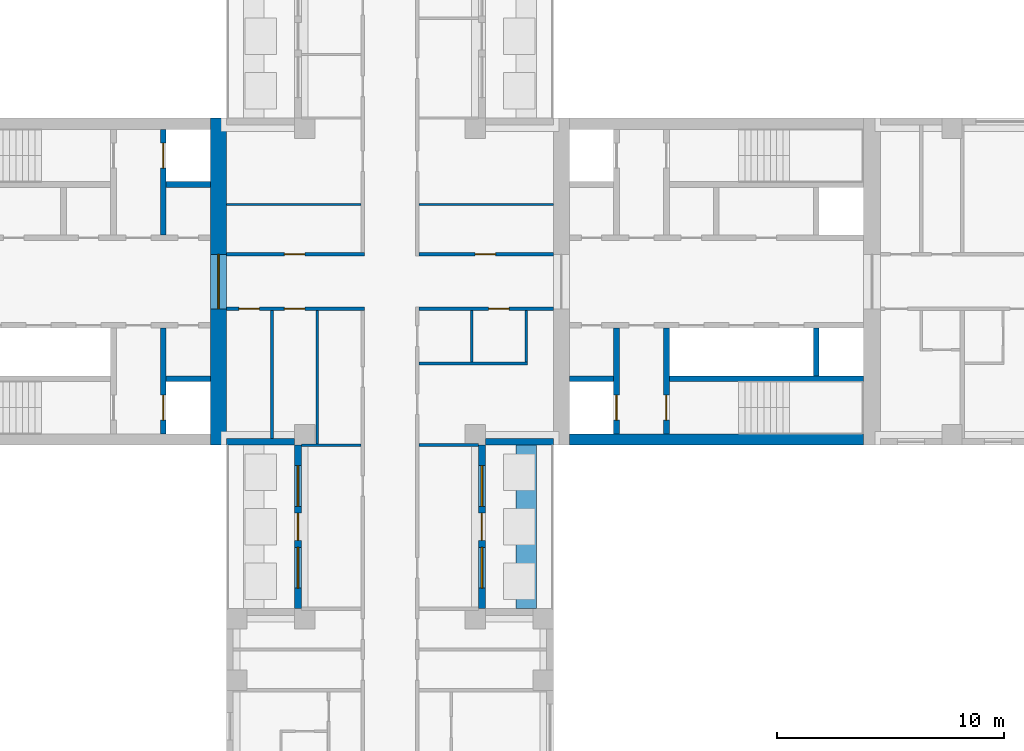
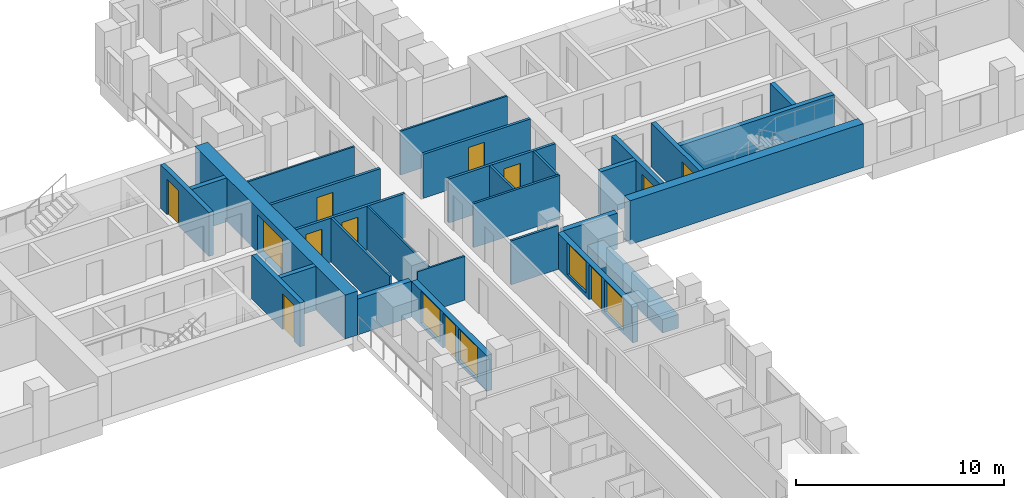
# One storey, part 7 of 13: 29 walls, 12 doors, 4 windows, 16 openings.
"""IFC4 building model written with IfcOpenShell, lengths in metres."""

from ifc_helpers import new_model, si_unit, direction, frame, frame_2d, origin, place, context, subcontext, project, spatial, rectangle, extrude, material, layer, layer_set, type_object, element, fill, save


model = new_model("IFC4")

# Units and contexts
model_context = context("Model", 3, precision=1e-05, world=origin(), true_north=direction((0.0, 1.0)))
body_context = subcontext(model_context, "Body", "Model", "MODEL_VIEW")
ifc_project = project(units=[si_unit("LENGTHUNIT", "METRE"), si_unit("AREAUNIT", "SQUARE_METRE"), si_unit("VOLUMEUNIT", "CUBIC_METRE"), si_unit("PLANEANGLEUNIT", "RADIAN"), si_unit("MASSUNIT", "GRAM", prefix="KILO")], contexts=[model_context])

# Site, building, storey
site_placement = place(None, origin())
site = spatial("IfcSite", under=ifc_project, at=site_placement, CompositionType="ELEMENT")
building_placement = place(site_placement, origin())
building = spatial("IfcBuilding", under=site, at=building_placement, Name="Fustian Cross Tower", CompositionType="ELEMENT")
storey_placement = place(building_placement, frame((0.0, 0.0, 105.89990234375)))
storey = spatial("IfcBuildingStorey", under=building, at=storey_placement, Name="L33", CompositionType="ELEMENT", Elevation=105.89990234375)

# Wall, openings, doors
ifc_material_1 = material(Name="Plasterboard on steel stud", Category="steel")
ifc_layer_1 = layer(ifc_material_1, 0.14990234375)
ifc_layer_set_1 = layer_set([ifc_layer_1], Name="Plasterboard on steel stud")
wall_type_1 = type_object("IfcWallType", Name="COMPARTMENT WALL 150 EI 60", PredefinedType="PARTITIONING", material=ifc_layer_set_1)
wall_1_placement = place(storey_placement, frame((-7.199951171875, -1.199951171875, 0.0), z_axis=(0.0, 0.0, 1.0), x_axis=(1.0, 0.0, 0.0)))
wall_1 = element("IfcWall", 1, at=wall_1_placement, inside=storey, type_object=wall_type_1, Name="Partition 12", PredefinedType="PARTITIONING", context=body_context, shape_type="SweptSolid", body=[
    extrude(rectangle(XDim=6.074951171875, YDim=0.14990234375, at=frame_2d((3.03759765625, 0.0))), origin(), (0.0, 0.0, 1.0), 2.5751953125),
])
opening_1_placement = place(wall_1_placement, frame((2.550048828125, 0.0, 0.0)))
opening_1 = element("IfcOpeningElement", 2, at=opening_1_placement, cuts=wall_1, Name="Opening D15009", PredefinedType="OPENING", context=body_context, shape_type="SweptSolid", body=[
    extrude(rectangle(XDim=0.89990234375, YDim=2.10009765625, at=frame_2d((0.449951171875, 1.050048828125))), frame((0.0, 0.0849609375, 0.0), z_axis=(0.0, -1.0, 0.0), x_axis=(1.0, 0.0, 0.0)), (0.0, 0.0, 1.0), 0.169921875),
])
opening_2_placement = place(wall_1_placement, frame((0.550048828125, 0.0, 0.0)))
opening_2 = element("IfcOpeningElement", 3, at=opening_2_placement, cuts=wall_1, Name="Opening D15010", PredefinedType="OPENING", context=body_context, shape_type="SweptSolid", body=[
    extrude(rectangle(XDim=0.89990234375, YDim=2.10009765625, at=frame_2d((0.449951171875, 1.050048828125))), frame((0.0, 0.0849609375, 0.0), z_axis=(0.0, -1.0, 0.0), x_axis=(1.0, 0.0, 0.0)), (0.0, 0.0, 1.0), 0.169921875),
])
ifc_material_2 = material(Name="Timber fire door set", Category="wood")
door_type_1 = type_object("IfcDoorType", Name="FIRE SWING DOOR 900 FD30S", OperationType="SINGLE_SWING_LEFT", PredefinedType="DOOR", material=ifc_material_2)
door_1_placement = place(opening_1_placement, frame((0.89990234375, 0.0, 0.0), z_axis=(0.0, 0.0, 1.0), x_axis=(-1.0, 0.0, 0.0)))
door_1 = element("IfcDoor", 4, at=door_1_placement, inside=storey, type_object=door_type_1, Name="Door D15009", OperationType="SINGLE_SWING_RIGHT", OverallHeight=2.10009765625, OverallWidth=0.89990234375, PredefinedType="DOOR", context=body_context, shape_type="SweptSolid", body=[
    extrude(rectangle(XDim=0.89990234375, YDim=2.10009765625, at=frame_2d((0.449951171875, 1.050048828125))), frame((0.0, 0.02490234375, 0.0), z_axis=(0.0, -1.0, 0.0), x_axis=(1.0, 0.0, 0.0)), (0.0, 0.0, 1.0), 0.050048828125),
])
fill(opening_1, door_1)
door_2_placement = place(opening_2_placement, frame((0.89990234375, 0.0, 0.0), z_axis=(0.0, 0.0, 1.0), x_axis=(-1.0, 0.0, 0.0)))
door_2 = element("IfcDoor", 5, at=door_2_placement, inside=storey, type_object=door_type_1, Name="Door D15010", OperationType="SINGLE_SWING_RIGHT", OverallHeight=2.10009765625, OverallWidth=0.89990234375, PredefinedType="DOOR", context=body_context, shape_type="SweptSolid", body=[
    extrude(rectangle(XDim=0.89990234375, YDim=2.10009765625, at=frame_2d((0.449951171875, 1.050048828125))), frame((0.0, 0.02490234375, 0.0), z_axis=(0.0, -1.0, 0.0), x_axis=(1.0, 0.0, 0.0)), (0.0, 0.0, 1.0), 0.050048828125),
])
fill(opening_2, door_2)

# Wall, opening, door
wall_2_placement = place(storey_placement, frame((-7.199951171875, 1.199951171875, 0.0), z_axis=(0.0, 0.0, 1.0), x_axis=(1.0, 0.0, 0.0)))
wall_2 = element("IfcWall", 6, at=wall_2_placement, inside=storey, type_object=wall_type_1, Name="Partition 13", PredefinedType="PARTITIONING", context=body_context, shape_type="SweptSolid", body=[
    extrude(rectangle(XDim=6.074951171875, YDim=0.14990234375, at=frame_2d((3.03759765625, 0.0))), origin(), (0.0, 0.0, 1.0), 2.5751953125),
])
opening_3_placement = place(wall_2_placement, frame((2.550048828125, 0.0, 0.0)))
opening_3 = element("IfcOpeningElement", 7, at=opening_3_placement, cuts=wall_2, Name="Opening D15003", PredefinedType="OPENING", context=body_context, shape_type="SweptSolid", body=[
    extrude(rectangle(XDim=0.89990234375, YDim=2.10009765625, at=frame_2d((0.449951171875, 1.050048828125))), frame((0.0, 0.0849609375, 0.0), z_axis=(0.0, -1.0, 0.0), x_axis=(1.0, 0.0, 0.0)), (0.0, 0.0, 1.0), 0.169921875),
])
door_3_placement = place(opening_3_placement, origin())
door_3 = element("IfcDoor", 8, at=door_3_placement, inside=storey, type_object=door_type_1, Name="Door D15003", OperationType="SINGLE_SWING_LEFT", OverallHeight=2.10009765625, OverallWidth=0.89990234375, PredefinedType="DOOR", context=body_context, shape_type="SweptSolid", body=[
    extrude(rectangle(XDim=0.89990234375, YDim=2.10009765625, at=frame_2d((0.449951171875, 1.050048828125))), frame((0.0, 0.02490234375, 0.0), z_axis=(0.0, -1.0, 0.0), x_axis=(1.0, 0.0, 0.0)), (0.0, 0.0, 1.0), 0.050048828125),
])
fill(opening_3, door_3)

wall_3_placement = place(storey_placement, frame((1.27490234375, -1.199951171875, 0.0), z_axis=(0.0, 0.0, 1.0), x_axis=(1.0, 0.0, 0.0)))
wall_3 = element("IfcWall", 9, at=wall_3_placement, inside=storey, type_object=wall_type_1, Name="Partition 50", PredefinedType="PARTITIONING", context=body_context, shape_type="SweptSolid", body=[
    extrude(rectangle(XDim=5.925048828125, YDim=0.14990234375, at=frame_2d((2.96240234375, 0.0))), origin(), (0.0, 0.0, 1.0), 2.5751953125),
])
opening_4_placement = place(wall_3_placement, frame((3.074951171875, 0.0, 0.0)))
opening_4 = element("IfcOpeningElement", 10, at=opening_4_placement, cuts=wall_3, Name="Opening D15006", PredefinedType="OPENING", context=body_context, shape_type="SweptSolid", body=[
    extrude(rectangle(XDim=0.89990234375, YDim=2.10009765625, at=frame_2d((0.449951171875, 1.050048828125))), frame((0.0, 0.0849609375, 0.0), z_axis=(0.0, -1.0, 0.0), x_axis=(1.0, 0.0, 0.0)), (0.0, 0.0, 1.0), 0.169921875),
])
door_4_placement = place(opening_4_placement, frame((0.89990234375, 0.0, 0.0), z_axis=(0.0, 0.0, 1.0), x_axis=(-1.0, 0.0, 0.0)))
door_4 = element("IfcDoor", 11, at=door_4_placement, inside=storey, type_object=door_type_1, Name="Door D15006", OperationType="SINGLE_SWING_RIGHT", OverallHeight=2.10009765625, OverallWidth=0.89990234375, PredefinedType="DOOR", context=body_context, shape_type="SweptSolid", body=[
    extrude(rectangle(XDim=0.89990234375, YDim=2.10009765625, at=frame_2d((0.449951171875, 1.050048828125))), frame((0.0, 0.02490234375, 0.0), z_axis=(0.0, -1.0, 0.0), x_axis=(1.0, 0.0, 0.0)), (0.0, 0.0, 1.0), 0.050048828125),
])
fill(opening_4, door_4)

wall_4_placement = place(storey_placement, frame((1.27490234375, 1.199951171875, 0.0), z_axis=(0.0, 0.0, 1.0), x_axis=(1.0, 0.0, 0.0)))
wall_4 = element("IfcWall", 12, at=wall_4_placement, inside=storey, type_object=wall_type_1, Name="Partition 52", PredefinedType="PARTITIONING", context=body_context, shape_type="SweptSolid", body=[
    extrude(rectangle(XDim=5.925048828125, YDim=0.14990234375, at=frame_2d((2.96240234375, 0.0))), origin(), (0.0, 0.0, 1.0), 2.5751953125),
])
opening_5_placement = place(wall_4_placement, frame((2.47509765625, 0.0, 0.0)))
opening_5 = element("IfcOpeningElement", 13, at=opening_5_placement, cuts=wall_4, Name="Opening D15001", PredefinedType="OPENING", context=body_context, shape_type="SweptSolid", body=[
    extrude(rectangle(XDim=0.89990234375, YDim=2.10009765625, at=frame_2d((0.449951171875, 1.050048828125))), frame((0.0, 0.0849609375, 0.0), z_axis=(0.0, -1.0, 0.0), x_axis=(1.0, 0.0, 0.0)), (0.0, 0.0, 1.0), 0.169921875),
])
door_5_placement = place(opening_5_placement, origin())
door_5 = element("IfcDoor", 14, at=door_5_placement, inside=storey, type_object=door_type_1, Name="Door D15001", OperationType="SINGLE_SWING_LEFT", OverallHeight=2.10009765625, OverallWidth=0.89990234375, PredefinedType="DOOR", context=body_context, shape_type="SweptSolid", body=[
    extrude(rectangle(XDim=0.89990234375, YDim=2.10009765625, at=frame_2d((0.449951171875, 1.050048828125))), frame((0.0, 0.02490234375, 0.0), z_axis=(0.0, -1.0, 0.0), x_axis=(1.0, 0.0, 0.0)), (0.0, 0.0, 1.0), 0.050048828125),
])
fill(opening_5, door_5)

ifc_material_3 = material(Name="Concrete C70/85", Category="concrete")
ifc_layer_2 = layer(ifc_material_3, 0.699951171875)
ifc_layer_set_2 = layer_set([ifc_layer_2], Name="Concrete C70/85")
wall_type_2 = type_object("IfcWallType", Name="CORE END WALL 700 C70/85", PredefinedType="SHEAR", material=ifc_layer_set_2)
wall_5_placement = place(storey_placement, frame((-7.550048828125, -7.199951171875, 0.0), z_axis=(0.0, 0.0, 1.0), x_axis=(0.0, 1.0, 0.0)))
wall_5 = element("IfcWall", 15, at=wall_5_placement, inside=storey, type_object=wall_type_2, Name="Core end wall", PredefinedType="SHEAR", context=body_context, shape_type="SweptSolid", body=[
    extrude(rectangle(XDim=14.39990234375, YDim=0.699951171875, at=frame_2d((7.199951171875, 0.0))), origin(), (0.0, 0.0, 1.0), 2.5751953125),
])
opening_6_placement = place(wall_5_placement, frame((6.0, 0.0, 0.0)))
opening_6 = element("IfcOpeningElement", 16, at=opening_6_placement, cuts=wall_5, Name="Opening CD-10-27", PredefinedType="OPENING", context=body_context, shape_type="SweptSolid", body=[
    extrude(rectangle(XDim=2.39990234375, YDim=2.199951171875, at=frame_2d((1.199951171875, 1.10009765625))), frame((0.0, 0.35986328125, 0.0), z_axis=(0.0, -1.0, 0.0), x_axis=(1.0, 0.0, 0.0)), (0.0, 0.0, 1.0), 0.719970703125),
])
ifc_material_4 = material(Name="Steel", Category="steel")
door_type_2 = type_object("IfcDoorType", Name="FIRE DOOR FD30S DOUBLE 2400X2200", OperationType="DOUBLE_DOOR_DOUBLE_SWING", PredefinedType="DOOR", material=ifc_material_4)
door_6_placement = place(opening_6_placement, origin())
door_6 = element("IfcDoor", 17, at=door_6_placement, inside=storey, type_object=door_type_2, Name="Core door CD-10-27", OperationType="DOUBLE_DOOR_DOUBLE_SWING", OverallHeight=2.199951171875, OverallWidth=2.39990234375, PredefinedType="DOOR", context=body_context, shape_type="SweptSolid", body=[
    extrude(rectangle(XDim=2.39990234375, YDim=2.199951171875, at=frame_2d((1.199951171875, 1.10009765625))), frame((0.0, 0.02490234375, 0.0), z_axis=(0.0, -1.0, 0.0), x_axis=(1.0, 0.0, 0.0)), (0.0, 0.0, 1.0), 0.050048828125),
])
fill(opening_6, door_6)

# Walls
ifc_material_5 = material(Name="Concrete C70/85", Category="concrete")
ifc_layer_3 = layer(ifc_material_5, 0.5)
ifc_layer_set_3 = layer_set([ifc_layer_3], Name="Concrete C70/85")
wall_type_3 = type_object("IfcWallType", Name="CORE FACADE WALL 500 C70/85", PredefinedType="SHEAR", material=ifc_layer_set_3)
wall_6_placement = place(storey_placement, frame((7.89990234375, -6.949951171875, 0.0), z_axis=(0.0, 0.0, 1.0), x_axis=(1.0, 0.0, 0.0)))
element("IfcWall", 18, at=wall_6_placement, inside=storey, type_object=wall_type_3, Name="Core facade wall", PredefinedType="SHEAR", context=body_context, shape_type="SweptSolid", body=[
    extrude(rectangle(XDim=12.9501953125, YDim=0.5, at=frame_2d((6.47509765625, 0.0))), origin(), (0.0, 0.0, 1.0), 2.5751953125),
])
ifc_material_6 = material(Name="Concrete C50/60", Category="concrete")
ifc_layer_4 = layer(ifc_material_6, 0.25)
ifc_layer_set_4 = layer_set([ifc_layer_4], Name="Concrete C50/60")
wall_type_4 = type_object("IfcWallType", Name="CORE SHAFT WALL 250 C50/60", PredefinedType="SHEAR", material=ifc_layer_set_4)
wall_7_placement = place(storey_placement, frame((7.89990234375, -4.27490234375, 0.0), z_axis=(0.0, 0.0, 1.0), x_axis=(1.0, 0.0, 0.0)))
element("IfcWall", 19, at=wall_7_placement, inside=storey, type_object=wall_type_4, Name="Core shaft wall", PredefinedType="SHEAR", context=body_context, shape_type="SweptSolid", body=[
    extrude(rectangle(XDim=1.9501953125, YDim=0.25, at=frame_2d((0.97509765625, 0.0))), origin(), (0.0, 0.0, 1.0), 2.5751953125),
])
wall_8_placement = place(storey_placement, frame((12.300048828125, -4.27490234375, 0.0), z_axis=(0.0, 0.0, 1.0), x_axis=(1.0, 0.0, 0.0)))
element("IfcWall", 20, at=wall_8_placement, inside=storey, type_object=wall_type_4, Name="Core shaft wall", PredefinedType="SHEAR", context=body_context, shape_type="SweptSolid", body=[
    extrude(rectangle(XDim=8.550048828125, YDim=0.25, at=frame_2d((4.27490234375, 0.0))), origin(), (0.0, 0.0, 1.0), 2.5751953125),
])

# Wall, opening, door
wall_9_placement = place(storey_placement, frame((9.97509765625, -2.050048828125, 0.0), z_axis=(0.0, 0.0, 1.0), x_axis=(0.0, -1.0, 0.0)))
wall_9 = element("IfcWall", 21, at=wall_9_placement, inside=storey, type_object=wall_type_4, Name="Core shaft wall", PredefinedType="SHEAR", context=body_context, shape_type="SweptSolid", body=[
    extrude(rectangle(XDim=4.64990234375, YDim=0.25, at=frame_2d((2.324951171875, 0.0))), origin(), (0.0, 0.0, 1.0), 2.5751953125),
])
opening_7_placement = place(wall_9_placement, frame((2.949951171875, 0.0, 0.0)))
opening_7 = element("IfcOpeningElement", 22, at=opening_7_placement, cuts=wall_9, Name="Opening LD", PredefinedType="OPENING", context=body_context, shape_type="SweptSolid", body=[
    extrude(rectangle(XDim=1.10009765625, YDim=2.10009765625, at=frame_2d((0.550048828125, 1.050048828125))), frame((0.0, 0.135009765625, 0.0), z_axis=(0.0, -1.0, 0.0), x_axis=(1.0, 0.0, 0.0)), (0.0, 0.0, 1.0), 0.27001953125),
])
ifc_material_7 = material(Name="Stainless steel", Category="steel")
door_type_3 = type_object("IfcDoorType", Name="LIFT LANDING DOOR 1100X2100", OperationType="SLIDING_TO_LEFT", PredefinedType="DOOR", material=ifc_material_7)
door_7_placement = place(opening_7_placement, origin())
door_7 = element("IfcDoor", 23, at=door_7_placement, inside=storey, type_object=door_type_3, Name="Landing door SV1", OperationType="SLIDING_TO_LEFT", OverallHeight=2.10009765625, OverallWidth=1.10009765625, PredefinedType="DOOR", context=body_context, shape_type="SweptSolid", body=[
    extrude(rectangle(XDim=1.10009765625, YDim=2.10009765625, at=frame_2d((0.550048828125, 1.050048828125))), frame((0.0, 0.02490234375, 0.0), z_axis=(0.0, -1.0, 0.0), x_axis=(1.0, 0.0, 0.0)), (0.0, 0.0, 1.0), 0.050048828125),
])
fill(opening_7, door_7)

wall_10_placement = place(storey_placement, frame((12.175048828125, -2.050048828125, 0.0), z_axis=(0.0, 0.0, 1.0), x_axis=(0.0, -1.0, 0.0)))
wall_10 = element("IfcWall", 24, at=wall_10_placement, inside=storey, type_object=wall_type_4, Name="Core shaft wall", PredefinedType="SHEAR", context=body_context, shape_type="SweptSolid", body=[
    extrude(rectangle(XDim=4.64990234375, YDim=0.25, at=frame_2d((2.324951171875, 0.0))), origin(), (0.0, 0.0, 1.0), 2.5751953125),
])
opening_8_placement = place(wall_10_placement, frame((2.949951171875, 0.0, 0.0)))
opening_8 = element("IfcOpeningElement", 25, at=opening_8_placement, cuts=wall_10, Name="Opening CD-10-07", PredefinedType="OPENING", context=body_context, shape_type="SweptSolid", body=[
    extrude(rectangle(XDim=1.10009765625, YDim=2.10009765625, at=frame_2d((0.550048828125, 1.050048828125))), frame((0.0, 0.135009765625, 0.0), z_axis=(0.0, -1.0, 0.0), x_axis=(1.0, 0.0, 0.0)), (0.0, 0.0, 1.0), 0.27001953125),
])
ifc_material_8 = material(Name="Steel", Category="steel")
door_type_4 = type_object("IfcDoorType", Name="FIRE DOOR FD60S 1100X2100", OperationType="SINGLE_SWING_LEFT", PredefinedType="DOOR", material=ifc_material_8)
door_8_placement = place(opening_8_placement, origin())
door_8 = element("IfcDoor", 26, at=door_8_placement, inside=storey, type_object=door_type_4, Name="Core door CD-10-07", OperationType="SINGLE_SWING_LEFT", OverallHeight=2.10009765625, OverallWidth=1.10009765625, PredefinedType="DOOR", context=body_context, shape_type="SweptSolid", body=[
    extrude(rectangle(XDim=1.10009765625, YDim=2.10009765625, at=frame_2d((0.550048828125, 1.050048828125))), frame((0.0, 0.02490234375, 0.0), z_axis=(0.0, -1.0, 0.0), x_axis=(1.0, 0.0, 0.0)), (0.0, 0.0, 1.0), 0.050048828125),
])
fill(opening_8, door_8)

# Wall
wall_11_placement = place(storey_placement, frame((-7.89990234375, 4.27490234375, 0.0), z_axis=(0.0, 0.0, 1.0), x_axis=(-1.0, 0.0, 0.0)))
element("IfcWall", 27, at=wall_11_placement, inside=storey, type_object=wall_type_4, Name="Core shaft wall", PredefinedType="SHEAR", context=body_context, shape_type="SweptSolid", body=[
    extrude(rectangle(XDim=1.9501953125, YDim=0.25, at=frame_2d((0.97509765625, 0.0))), origin(), (0.0, 0.0, 1.0), 2.5751953125),
])

# Wall, opening, door
wall_12_placement = place(storey_placement, frame((-9.97509765625, 2.050048828125, 0.0), z_axis=(0.0, 0.0, 1.0), x_axis=(0.0, 1.0, 0.0)))
wall_12 = element("IfcWall", 28, at=wall_12_placement, inside=storey, type_object=wall_type_4, Name="Core shaft wall", PredefinedType="SHEAR", context=body_context, shape_type="SweptSolid", body=[
    extrude(rectangle(XDim=4.64990234375, YDim=0.25, at=frame_2d((2.324951171875, 0.0))), origin(), (0.0, 0.0, 1.0), 2.5751953125),
])
opening_9_placement = place(wall_12_placement, frame((2.949951171875, 0.0, 0.0)))
opening_9 = element("IfcOpeningElement", 29, at=opening_9_placement, cuts=wall_12, Name="Opening LD", PredefinedType="OPENING", context=body_context, shape_type="SweptSolid", body=[
    extrude(rectangle(XDim=1.10009765625, YDim=2.10009765625, at=frame_2d((0.550048828125, 1.050048828125))), frame((0.0, 0.135009765625, 0.0), z_axis=(0.0, -1.0, 0.0), x_axis=(1.0, 0.0, 0.0)), (0.0, 0.0, 1.0), 0.27001953125),
])
door_9_placement = place(opening_9_placement, origin())
door_9 = element("IfcDoor", 30, at=door_9_placement, inside=storey, type_object=door_type_3, Name="Landing door FL1W", OperationType="SLIDING_TO_LEFT", OverallHeight=2.10009765625, OverallWidth=1.10009765625, PredefinedType="DOOR", context=body_context, shape_type="SweptSolid", body=[
    extrude(rectangle(XDim=1.10009765625, YDim=2.10009765625, at=frame_2d((0.550048828125, 1.050048828125))), frame((0.0, 0.02490234375, 0.0), z_axis=(0.0, -1.0, 0.0), x_axis=(1.0, 0.0, 0.0)), (0.0, 0.0, 1.0), 0.050048828125),
])
fill(opening_9, door_9)

# Wall
wall_13_placement = place(storey_placement, frame((-7.89990234375, -4.27490234375, 0.0), z_axis=(0.0, 0.0, 1.0), x_axis=(-1.0, 0.0, 0.0)))
element("IfcWall", 31, at=wall_13_placement, inside=storey, type_object=wall_type_4, Name="Core shaft wall", PredefinedType="SHEAR", context=body_context, shape_type="SweptSolid", body=[
    extrude(rectangle(XDim=1.9501953125, YDim=0.25, at=frame_2d((0.97509765625, 0.0))), origin(), (0.0, 0.0, 1.0), 2.5751953125),
])

# Wall, opening, door
wall_14_placement = place(storey_placement, frame((-9.97509765625, -2.050048828125, 0.0), z_axis=(0.0, 0.0, 1.0), x_axis=(0.0, -1.0, 0.0)))
wall_14 = element("IfcWall", 32, at=wall_14_placement, inside=storey, type_object=wall_type_4, Name="Core shaft wall", PredefinedType="SHEAR", context=body_context, shape_type="SweptSolid", body=[
    extrude(rectangle(XDim=4.64990234375, YDim=0.25, at=frame_2d((2.324951171875, 0.0))), origin(), (0.0, 0.0, 1.0), 2.5751953125),
])
opening_10_placement = place(wall_14_placement, frame((2.949951171875, 0.0, 0.0)))
opening_10 = element("IfcOpeningElement", 33, at=opening_10_placement, cuts=wall_14, Name="Opening LD", PredefinedType="OPENING", context=body_context, shape_type="SweptSolid", body=[
    extrude(rectangle(XDim=1.10009765625, YDim=2.10009765625, at=frame_2d((0.550048828125, 1.050048828125))), frame((0.0, 0.135009765625, 0.0), z_axis=(0.0, -1.0, 0.0), x_axis=(1.0, 0.0, 0.0)), (0.0, 0.0, 1.0), 0.27001953125),
])
door_10_placement = place(opening_10_placement, origin())
door_10 = element("IfcDoor", 34, at=door_10_placement, inside=storey, type_object=door_type_3, Name="Landing door SV1W", OperationType="SLIDING_TO_LEFT", OverallHeight=2.10009765625, OverallWidth=1.10009765625, PredefinedType="DOOR", context=body_context, shape_type="SweptSolid", body=[
    extrude(rectangle(XDim=1.10009765625, YDim=2.10009765625, at=frame_2d((0.550048828125, 1.050048828125))), frame((0.0, 0.02490234375, 0.0), z_axis=(0.0, -1.0, 0.0), x_axis=(1.0, 0.0, 0.0)), (0.0, 0.0, 1.0), 0.050048828125),
])
fill(opening_10, door_10)

# Walls
ifc_material_9 = material(Name="Plasterboard on steel stud", Category="steel")
ifc_layer_5 = layer(ifc_material_9, 0.10009765625)
ifc_layer_set_5 = layer_set([ifc_layer_5], Name="Plasterboard on steel stud")
wall_type_5 = type_object("IfcWallType", Name="PARTITION 100 STUD", PredefinedType="PARTITIONING", material=ifc_layer_set_5)
wall_15_placement = place(storey_placement, frame((-7.199951171875, 3.39990234375, 0.0), z_axis=(0.0, 0.0, 1.0), x_axis=(1.0, 0.0, 0.0)))
element("IfcWall", 35, at=wall_15_placement, inside=storey, type_object=wall_type_5, Name="Partition 14", PredefinedType="PARTITIONING", context=body_context, shape_type="SweptSolid", body=[
    extrude(rectangle(XDim=5.925048828125, YDim=0.10009765625, at=frame_2d((2.96240234375, 0.0))), origin(), (0.0, 0.0, 1.0), 2.5751953125),
])
wall_16_placement = place(storey_placement, frame((-3.89990234375, -7.199951171875, 0.0), z_axis=(0.0, 0.0, 1.0), x_axis=(1.0, 0.0, 0.0)))
element("IfcWall", 36, at=wall_16_placement, inside=storey, type_object=wall_type_5, Name="Partition 32", PredefinedType="PARTITIONING", context=body_context, shape_type="SweptSolid", body=[
    extrude(rectangle(XDim=2.625, YDim=0.10009765625, at=frame_2d((1.3125, 0.0))), origin(), (0.0, 0.0, 1.0), 2.5751953125),
])
wall_17_placement = place(storey_placement, frame((-3.199951171875, -7.14990234375, 0.0), z_axis=(0.0, 0.0, 1.0), x_axis=(0.0, 1.0, 0.0)))
element("IfcWall", 37, at=wall_17_placement, inside=storey, type_object=wall_type_5, Name="Partition 38", PredefinedType="PARTITIONING", context=body_context, shape_type="SweptSolid", body=[
    extrude(rectangle(XDim=5.875, YDim=0.10009765625, at=frame_2d((2.9375, 0.0))), origin(), (0.0, 0.0, 1.0), 2.5751953125),
])
wall_18_placement = place(storey_placement, frame((1.27490234375, 3.39990234375, 0.0), z_axis=(0.0, 0.0, 1.0), x_axis=(1.0, 0.0, 0.0)))
element("IfcWall", 38, at=wall_18_placement, inside=storey, type_object=wall_type_5, Name="Partition 53", PredefinedType="PARTITIONING", context=body_context, shape_type="SweptSolid", body=[
    extrude(rectangle(XDim=5.925048828125, YDim=0.10009765625, at=frame_2d((2.96240234375, 0.0))), origin(), (0.0, 0.0, 1.0), 2.5751953125),
])
ifc_material_10 = material(Name="Concrete C40/50", Category="concrete")
ifc_layer_6 = layer(ifc_material_10, 0.89990234375)
ifc_layer_set_6 = layer_set([ifc_layer_6], Name="Concrete C40/50")
wall_type_6 = type_object("IfcWallType", Name="PK1 PLANTER 900", PredefinedType="PARAPET", material=ifc_layer_set_6)
wall_19_placement = place(storey_placement, frame((6.0, -14.39990234375, 0.0), z_axis=(0.0, 0.0, 1.0), x_axis=(0.0, 1.0, 0.0)))
element("IfcWall", 39, at=wall_19_placement, inside=storey, type_object=wall_type_6, Name="PLANTER", PredefinedType="PARAPET", context=body_context, shape_type="SweptSolid", body=[
    extrude(rectangle(XDim=7.199951171875, YDim=0.89990234375, at=frame_2d((3.60009765625, 0.0))), origin(), (0.0, 0.0, 1.0), 0.800048828125),
])
ifc_material_11 = material(Name="Concrete C40/50", Category="concrete")
ifc_layer_7 = layer(ifc_material_11, 0.25)
ifc_layer_set_7 = layer_set([ifc_layer_7], Name="Concrete C40/50")
wall_type_7 = type_object("IfcWallType", Name="SHAFT PARTITION WALL 250 C40/50", PredefinedType="PARTITIONING", material=ifc_layer_set_7)
wall_20_placement = place(storey_placement, frame((18.77490234375, -2.050048828125, 0.0), z_axis=(0.0, 0.0, 1.0), x_axis=(0.0, -1.0, 0.0)))
element("IfcWall", 40, at=wall_20_placement, inside=storey, type_object=wall_type_7, Name="Core shaft wall", PredefinedType="PARTITIONING", context=body_context, shape_type="SweptSolid", body=[
    extrude(rectangle(XDim=2.099853515625, YDim=0.25, at=frame_2d((1.0498046875, 0.0))), origin(), (0.0, 0.0, 1.0), 2.5751953125),
])
ifc_material_12 = material(Name="Plasterboard on steel stud", Category="steel")
ifc_layer_8 = layer(ifc_material_12, 0.125)
ifc_layer_set_8 = layer_set([ifc_layer_8], Name="Plasterboard on steel stud")
wall_type_8 = type_object("IfcWallType", Name="WET WALL 125 STUD", PredefinedType="PARTITIONING", material=ifc_layer_set_8)
wall_21_placement = place(storey_placement, frame((-5.199951171875, -6.89990234375, 0.0), z_axis=(0.0, 0.0, 1.0), x_axis=(0.0, 1.0, 0.0)))
element("IfcWall", 41, at=wall_21_placement, inside=storey, type_object=wall_type_8, Name="Partition 23", PredefinedType="PARTITIONING", context=body_context, shape_type="SweptSolid", body=[
    extrude(rectangle(XDim=5.625, YDim=0.125, at=frame_2d((2.8125, 0.0))), origin(), (0.0, 0.0, 1.0), 2.5751953125),
])
wall_22_placement = place(storey_placement, frame((1.27490234375, -7.199951171875, 0.0), z_axis=(0.0, 0.0, 1.0), x_axis=(1.0, 0.0, 0.0)))
element("IfcWall", 42, at=wall_22_placement, inside=storey, type_object=wall_type_8, Name="Partition 48", PredefinedType="PARTITIONING", context=body_context, shape_type="SweptSolid", body=[
    extrude(rectangle(XDim=2.625, YDim=0.125, at=frame_2d((1.3125, 0.0))), origin(), (0.0, 0.0, 1.0), 2.5751953125),
])
wall_23_placement = place(storey_placement, frame((1.27490234375, -3.60009765625, 0.0), z_axis=(0.0, 0.0, 1.0), x_axis=(1.0, 0.0, 0.0)))
element("IfcWall", 43, at=wall_23_placement, inside=storey, type_object=wall_type_8, Name="Partition 49", PredefinedType="PARTITIONING", context=body_context, shape_type="SweptSolid", body=[
    extrude(rectangle(XDim=4.78759765625, YDim=0.125, at=frame_2d((2.393798828125, 0.0))), origin(), (0.0, 0.0, 1.0), 2.5751953125),
])
for number, where, z_axis, x_axis, name in (
    (44, (3.60009765625, -3.53759765625, 0.0), (0.0, 0.0, 1.0), (0.0, 1.0, 0.0), "Partition 63"),
    (45, (6.0, -3.53759765625, 0.0), (0.0, 0.0, 1.0), (0.0, 1.0, 0.0), "Partition 69"),
):
    element("IfcWall", number, at=place(storey_placement, frame(where, z_axis=z_axis, x_axis=x_axis)), inside=storey, type_object=wall_type_8, Name=name, PredefinedType="PARTITIONING", context=body_context, shape_type="SweptSolid", body=[
        extrude(rectangle(XDim=2.2626953125, YDim=0.125, at=frame_2d((1.13134765625, 0.0))), origin(), (0.0, 0.0, 1.0), 2.5751953125),
    ])
ifc_material_13 = material(Name="Dark aluminium cladding on insulated backing wall", Category="aluminium")
ifc_layer_9 = layer(ifc_material_13, 0.300048828125)
ifc_layer_set_9 = layer_set([ifc_layer_9], Name="Dark aluminium cladding on insulated backing wall")
wall_type_9 = type_object("IfcWallType", Name="XW1 EXTERNAL WALL 300", PredefinedType="SOLIDWALL", material=ifc_layer_set_9)
wall_24_placement = place(storey_placement, frame((-7.199951171875, -7.050048828125, 0.0), z_axis=(0.0, 0.0, 1.0), x_axis=(1.0, 0.0, 0.0)))
element("IfcWall", 46, at=wall_24_placement, inside=storey, type_object=wall_type_9, Name="External wall", PredefinedType="SOLIDWALL", context=body_context, shape_type="SweptSolid", body=[
    extrude(rectangle(XDim=3.0, YDim=0.300048828125, at=frame_2d((1.5, 0.0))), origin(), (0.0, 0.0, 1.0), 2.10009765625),
])

# Wall, openings, door, windows
wall_25_placement = place(storey_placement, frame((-4.050048828125, -7.199951171875, 0.0), z_axis=(0.0, 0.0, 1.0), x_axis=(0.0, -1.0, 0.0)))
wall_25 = element("IfcWall", 47, at=wall_25_placement, inside=storey, type_object=wall_type_9, Name="External wall", PredefinedType="SOLIDWALL", context=body_context, shape_type="SweptSolid", body=[
    extrude(rectangle(XDim=7.199951171875, YDim=0.300048828125, at=frame_2d((3.60009765625, 0.0))), origin(), (0.0, 0.0, 1.0), 2.10009765625),
])
opening_11_placement = place(wall_25_placement, frame((3.0, 0.0, 0.0)))
opening_11 = element("IfcOpeningElement", 48, at=opening_11_placement, cuts=wall_25, Name="Opening XD4", PredefinedType="OPENING", context=body_context, shape_type="SweptSolid", body=[
    extrude(rectangle(XDim=1.199951171875, YDim=2.050048828125, at=frame_2d((0.60009765625, 1.02490234375))), frame((0.0, 0.159912109375, 0.0), z_axis=(0.0, -1.0, 0.0), x_axis=(1.0, 0.0, 0.0)), (0.0, 0.0, 1.0), 0.320068359375),
])
opening_12_placement = place(wall_25_placement, frame((0.89990234375, 0.0, 0.199951171875)))
opening_12 = element("IfcOpeningElement", 49, at=opening_12_placement, cuts=wall_25, Name="Opening WN2", PredefinedType="OPENING", context=body_context, shape_type="SweptSolid", body=[
    extrude(rectangle(XDim=1.800048828125, YDim=1.85009765625, at=frame_2d((0.89990234375, 0.925048828125))), frame((0.0, 0.159912109375, 0.0), z_axis=(0.0, -1.0, 0.0), x_axis=(1.0, 0.0, 0.0)), (0.0, 0.0, 1.0), 0.320068359375),
])
opening_13_placement = place(wall_25_placement, frame((4.5, 0.0, 0.199951171875)))
opening_13 = element("IfcOpeningElement", 50, at=opening_13_placement, cuts=wall_25, Name="Opening WN2", PredefinedType="OPENING", context=body_context, shape_type="SweptSolid", body=[
    extrude(rectangle(XDim=1.800048828125, YDim=1.85009765625, at=frame_2d((0.89990234375, 0.925048828125))), frame((0.0, 0.159912109375, 0.0), z_axis=(0.0, -1.0, 0.0), x_axis=(1.0, 0.0, 0.0)), (0.0, 0.0, 1.0), 0.320068359375),
])
ifc_material_14 = material(Name="Dark anodised aluminium and double glazing", Category="aluminium")
door_type_5 = type_object("IfcDoorType", Name="ED1 BALCONY DOOR 1200X2050", OperationType="SINGLE_SWING_LEFT", PredefinedType="DOOR", material=ifc_material_14)
door_11_placement = place(opening_11_placement, origin())
door_11 = element("IfcDoor", 51, at=door_11_placement, inside=storey, type_object=door_type_5, Name="Balcony door", OperationType="SINGLE_SWING_LEFT", OverallHeight=2.050048828125, OverallWidth=1.199951171875, PredefinedType="DOOR", context=body_context, shape_type="SweptSolid", body=[
    extrude(rectangle(XDim=1.199951171875, YDim=2.050048828125, at=frame_2d((0.60009765625, 1.02490234375))), frame((0.0, 0.02490234375, 0.0), z_axis=(0.0, -1.0, 0.0), x_axis=(1.0, 0.0, 0.0)), (0.0, 0.0, 1.0), 0.050048828125),
])
fill(opening_11, door_11)
ifc_material_15 = material(Name="Dark anodised aluminium and double glazing", Category="aluminium")
window_type = type_object("IfcWindowType", Name="WN2 WINDOW 1800X1850", PartitioningType="SINGLE_PANEL", PredefinedType="WINDOW", material=ifc_material_15)
window_1_placement = place(opening_12_placement, origin())
window_1 = element("IfcWindow", 52, at=window_1_placement, inside=storey, type_object=window_type, Name="Window", OverallHeight=1.85009765625, OverallWidth=1.800048828125, PartitioningType="SINGLE_PANEL", PredefinedType="WINDOW", context=body_context, shape_type="SweptSolid", body=[
    extrude(rectangle(XDim=1.800048828125, YDim=1.85009765625, at=frame_2d((0.89990234375, 0.925048828125))), frame((0.0, 0.030029296875, 0.0), z_axis=(0.0, -1.0, 0.0), x_axis=(1.0, 0.0, 0.0)), (0.0, 0.0, 1.0), 0.06005859375),
])
fill(opening_12, window_1)
window_2_placement = place(opening_13_placement, origin())
window_2 = element("IfcWindow", 53, at=window_2_placement, inside=storey, type_object=window_type, Name="Window", OverallHeight=1.85009765625, OverallWidth=1.800048828125, PartitioningType="SINGLE_PANEL", PredefinedType="WINDOW", context=body_context, shape_type="SweptSolid", body=[
    extrude(rectangle(XDim=1.800048828125, YDim=1.85009765625, at=frame_2d((0.89990234375, 0.925048828125))), frame((0.0, 0.030029296875, 0.0), z_axis=(0.0, -1.0, 0.0), x_axis=(1.0, 0.0, 0.0)), (0.0, 0.0, 1.0), 0.06005859375),
])
fill(opening_13, window_2)

wall_26_placement = place(storey_placement, frame((4.050048828125, -14.39990234375, 0.0), z_axis=(0.0, 0.0, 1.0), x_axis=(0.0, 1.0, 0.0)))
wall_26 = element("IfcWall", 54, at=wall_26_placement, inside=storey, type_object=wall_type_9, Name="External wall", PredefinedType="SOLIDWALL", context=body_context, shape_type="SweptSolid", body=[
    extrude(rectangle(XDim=7.199951171875, YDim=0.300048828125, at=frame_2d((3.60009765625, 0.0))), origin(), (0.0, 0.0, 1.0), 2.10009765625),
])
opening_14_placement = place(wall_26_placement, frame((3.0, 0.0, 0.0)))
opening_14 = element("IfcOpeningElement", 55, at=opening_14_placement, cuts=wall_26, Name="Opening XD3", PredefinedType="OPENING", context=body_context, shape_type="SweptSolid", body=[
    extrude(rectangle(XDim=1.199951171875, YDim=2.050048828125, at=frame_2d((0.60009765625, 1.02490234375))), frame((0.0, 0.159912109375, 0.0), z_axis=(0.0, -1.0, 0.0), x_axis=(1.0, 0.0, 0.0)), (0.0, 0.0, 1.0), 0.320068359375),
])
opening_15_placement = place(wall_26_placement, frame((0.89990234375, 0.0, 0.199951171875)))
opening_15 = element("IfcOpeningElement", 56, at=opening_15_placement, cuts=wall_26, Name="Opening WN2", PredefinedType="OPENING", context=body_context, shape_type="SweptSolid", body=[
    extrude(rectangle(XDim=1.800048828125, YDim=1.85009765625, at=frame_2d((0.89990234375, 0.925048828125))), frame((0.0, 0.159912109375, 0.0), z_axis=(0.0, -1.0, 0.0), x_axis=(1.0, 0.0, 0.0)), (0.0, 0.0, 1.0), 0.320068359375),
])
opening_16_placement = place(wall_26_placement, frame((4.5, 0.0, 0.199951171875)))
opening_16 = element("IfcOpeningElement", 57, at=opening_16_placement, cuts=wall_26, Name="Opening WN2", PredefinedType="OPENING", context=body_context, shape_type="SweptSolid", body=[
    extrude(rectangle(XDim=1.800048828125, YDim=1.85009765625, at=frame_2d((0.89990234375, 0.925048828125))), frame((0.0, 0.159912109375, 0.0), z_axis=(0.0, -1.0, 0.0), x_axis=(1.0, 0.0, 0.0)), (0.0, 0.0, 1.0), 0.320068359375),
])
door_12_placement = place(opening_14_placement, origin())
door_12 = element("IfcDoor", 58, at=door_12_placement, inside=storey, type_object=door_type_5, Name="Balcony door", OperationType="SINGLE_SWING_LEFT", OverallHeight=2.050048828125, OverallWidth=1.199951171875, PredefinedType="DOOR", context=body_context, shape_type="SweptSolid", body=[
    extrude(rectangle(XDim=1.199951171875, YDim=2.050048828125, at=frame_2d((0.60009765625, 1.02490234375))), frame((0.0, 0.02490234375, 0.0), z_axis=(0.0, -1.0, 0.0), x_axis=(1.0, 0.0, 0.0)), (0.0, 0.0, 1.0), 0.050048828125),
])
fill(opening_14, door_12)
window_3_placement = place(opening_15_placement, origin())
window_3 = element("IfcWindow", 59, at=window_3_placement, inside=storey, type_object=window_type, Name="Window", OverallHeight=1.85009765625, OverallWidth=1.800048828125, PartitioningType="SINGLE_PANEL", PredefinedType="WINDOW", context=body_context, shape_type="SweptSolid", body=[
    extrude(rectangle(XDim=1.800048828125, YDim=1.85009765625, at=frame_2d((0.89990234375, 0.925048828125))), frame((0.0, 0.030029296875, 0.0), z_axis=(0.0, -1.0, 0.0), x_axis=(1.0, 0.0, 0.0)), (0.0, 0.0, 1.0), 0.06005859375),
])
fill(opening_15, window_3)
window_4_placement = place(opening_16_placement, origin())
window_4 = element("IfcWindow", 60, at=window_4_placement, inside=storey, type_object=window_type, Name="Window", OverallHeight=1.85009765625, OverallWidth=1.800048828125, PartitioningType="SINGLE_PANEL", PredefinedType="WINDOW", context=body_context, shape_type="SweptSolid", body=[
    extrude(rectangle(XDim=1.800048828125, YDim=1.85009765625, at=frame_2d((0.89990234375, 0.925048828125))), frame((0.0, 0.030029296875, 0.0), z_axis=(0.0, -1.0, 0.0), x_axis=(1.0, 0.0, 0.0)), (0.0, 0.0, 1.0), 0.06005859375),
])
fill(opening_16, window_4)

# Wall
wall_27_placement = place(storey_placement, frame((4.199951171875, -7.050048828125, 0.0), z_axis=(0.0, 0.0, 1.0), x_axis=(1.0, 0.0, 0.0)))
element("IfcWall", 61, at=wall_27_placement, inside=storey, type_object=wall_type_9, Name="External wall", PredefinedType="SOLIDWALL", context=body_context, shape_type="SweptSolid", body=[
    extrude(rectangle(XDim=3.0, YDim=0.300048828125, at=frame_2d((1.5, 0.0))), origin(), (0.0, 0.0, 1.0), 2.10009765625),
])

save(model, "model.ifc")
